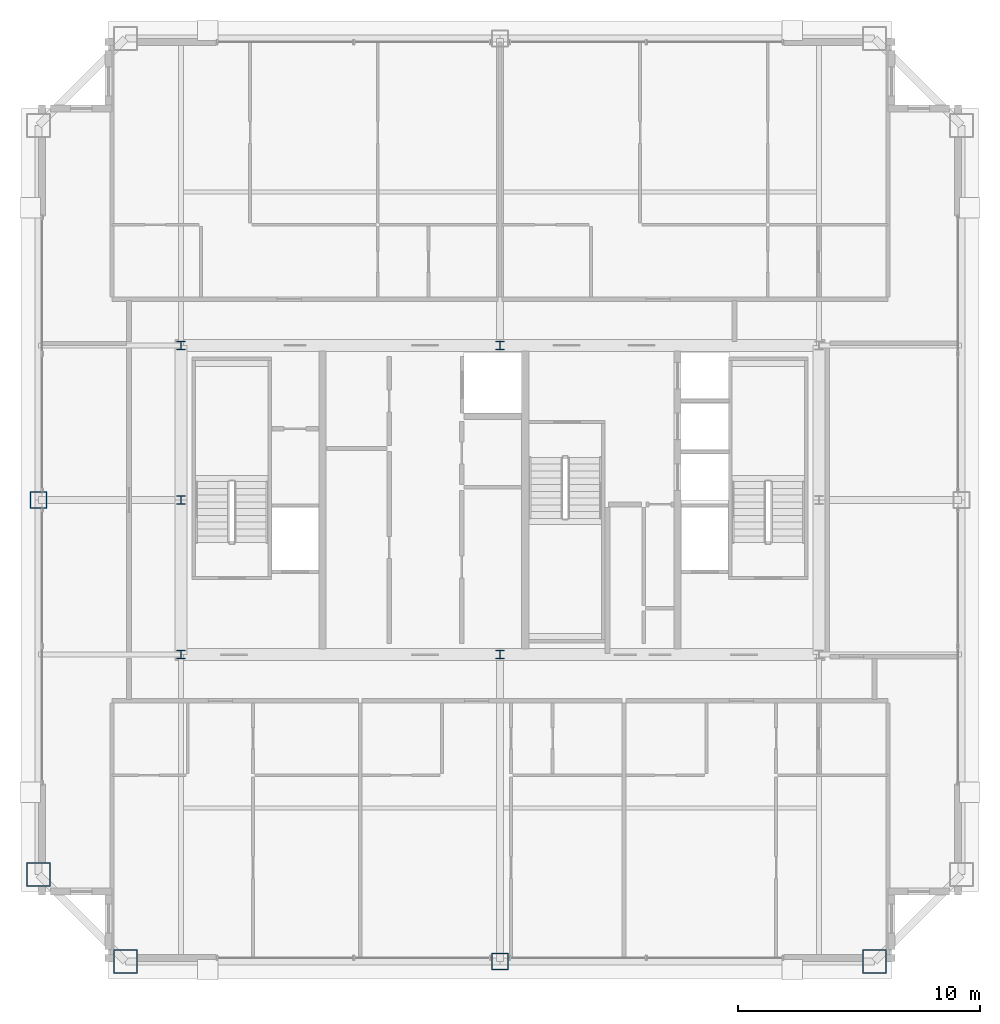
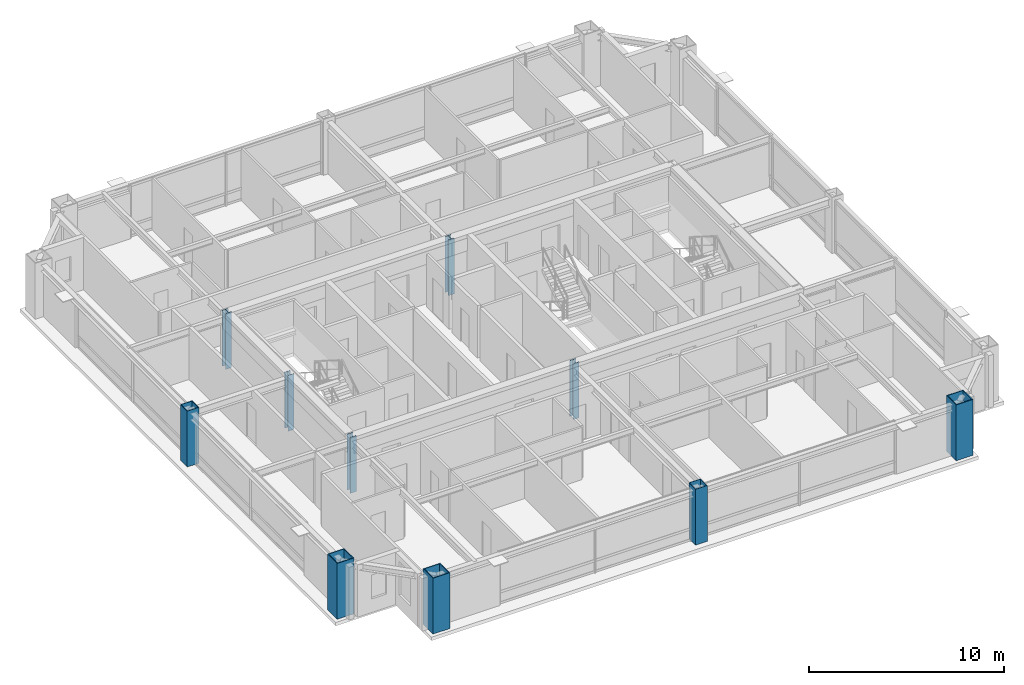
# One storey, part 1 of 35: 10 columns.
"""IFC4 building model written with IfcOpenShell, lengths in metres."""

from ifc_helpers import new_model, si_unit, direction, frame, origin, origin_2d, place, context, subcontext, project, spatial, hollow_rectangle, i_section, extrude, source, transform, mapped, material, material_profile, profile_set, type_object, element, save


model = new_model("IFC4")

# Units and contexts
model_context = context("Model", 3, precision=1e-05, world=origin(), true_north=direction((0.0, 1.0)))
body_context = subcontext(model_context, "Body", "Model", "MODEL_VIEW")
ifc_project = project(units=[si_unit("LENGTHUNIT", "METRE"), si_unit("AREAUNIT", "SQUARE_METRE"), si_unit("VOLUMEUNIT", "CUBIC_METRE"), si_unit("PLANEANGLEUNIT", "RADIAN"), si_unit("MASSUNIT", "GRAM", prefix="KILO"), si_unit("THERMODYNAMICTEMPERATUREUNIT", "KELVIN"), si_unit("POWERUNIT", "WATT")], contexts=[model_context])

# Site, building, storey
site_placement = place(None, origin())
site = spatial("IfcSite", under=ifc_project, at=site_placement, CompositionType="ELEMENT")
building_placement = place(site_placement, origin())
building = spatial("IfcBuilding", under=site, at=building_placement, Name="Yuzanri Waterfront Tower", CompositionType="ELEMENT")
storey_placement = place(building_placement, frame((0.0, 0.0, 311.199951171875)))
storey = spatial("IfcBuildingStorey", under=building, at=storey_placement, Name="L83", CompositionType="ELEMENT", Elevation=311.199951171875)

# Columns
ifc_material_1 = material(Name="Steel Q355B", Category="steel")
ifc_material_profile_1 = material_profile(ifc_material_1, hollow_rectangle(XDim=0.699951171875, YDim=0.699951171875, WallThickness=0.031982421875, at=origin_2d()), Name="RHS 700x700x32")
ifc_profile_set_1 = profile_set([ifc_material_profile_1], Name="Steel Q355B")
column_type_1 = type_object("IfcColumnType", Name="Frame Column Q355B RHS 700x700x32", PredefinedType="COLUMN", material=ifc_profile_set_1)
shared_shape_1 = source(origin(), body_context, "Body", "SweptSolid", [
    extrude(hollow_rectangle(XDim=0.699951171875, YDim=0.699951171875, WallThickness=0.031982421875, at=origin_2d()), origin(), (0.0, 0.0, 1.0), 3.5),
])
for number, where, z_axis, x_axis, name in (
    (1, (37.0, 6.699951171875, 0.0), (0.0, 0.0, 1.0), (1.0, 0.0, 0.0), "L83 Perimeter Frame Column S2"),
    (2, (17.89990234375, 25.800048828125, 0.0), (0.0, 0.0, 1.0), (1.0, 0.0, 0.0), "L83 Perimeter Frame Column W2"),
):
    element("IfcColumn", number, at=place(storey_placement, frame(where, z_axis=z_axis, x_axis=x_axis)), inside=storey, type_object=column_type_1, Name=name, PredefinedType="COLUMN", context=body_context, shape_type="MappedRepresentation", body=[
        mapped(shared_shape_1, transform((0.0, 0.0, 0.0), scale=1.0)),
    ])
ifc_material_2 = material(Name="Steel Q355B", Category="steel")
ifc_material_profile_2 = material_profile(ifc_material_2, i_section(OverallWidth=0.35009765625, OverallDepth=0.35009765625, WebThickness=0.011962890625, FlangeThickness=0.01904296875, at=origin_2d()), Name="HW 350x350x12x19")
ifc_profile_set_2 = profile_set([ifc_material_profile_2], Name="Steel Q355B")
column_type_2 = type_object("IfcColumnType", Name="Core Post Q355B HW 350x350x12x19", PredefinedType="COLUMN", material=ifc_profile_set_2)
shared_shape_2 = source(origin(), body_context, "Body", "SweptSolid", [
    extrude(i_section(OverallWidth=0.35009765625, OverallDepth=0.35009765625, WebThickness=0.011962890625, FlangeThickness=0.01904296875, at=origin_2d()), origin(), (0.0, 0.0, 1.0), 3.5),
])
for number, where, z_axis, x_axis, name in (
    (3, (23.800048828125, 19.39990234375, 0.0), (0.0, 0.0, 1.0), (1.0, 0.0, 0.0), "L83 Core Boundary Column CP1"),
    (4, (37.0, 19.39990234375, 0.0), (0.0, 0.0, 1.0), (1.0, 0.0, 0.0), "L83 Core Boundary Column CP2"),
    (5, (23.800048828125, 25.800048828125, 0.0), (0.0, 0.0, 1.0), (1.0, 0.0, 0.0), "L83 Core Boundary Column CP4"),
    (6, (23.800048828125, 32.199951171875, 0.0), (0.0, 0.0, 1.0), (1.0, 0.0, 0.0), "L83 Core Boundary Column CP6"),
    (7, (37.0, 32.199951171875, 0.0), (0.0, 0.0, 1.0), (1.0, 0.0, 0.0), "L83 Core Boundary Column CP7"),
):
    element("IfcColumn", number, at=place(storey_placement, frame(where, z_axis=z_axis, x_axis=x_axis)), inside=storey, type_object=column_type_2, Name=name, PredefinedType="COLUMN", context=body_context, shape_type="MappedRepresentation", body=[
        mapped(shared_shape_2, transform((0.0, 0.0, 0.0), scale=1.0)),
    ])
ifc_material_3 = material(Name="Steel Q390GJC", Category="steel")
ifc_material_profile_3 = material_profile(ifc_material_3, hollow_rectangle(XDim=1.0, YDim=1.0, WallThickness=0.048095703125, at=origin_2d()), Name="RHS 1000x1000x48")
ifc_profile_set_3 = profile_set([ifc_material_profile_3], Name="Steel Q390GJC")
column_type_3 = type_object("IfcColumnType", Name="Mega Column Q390GJC RHS 1000x1000x48", PredefinedType="COLUMN", material=ifc_profile_set_3)
shared_shape_3 = source(origin(), body_context, "Body", "SweptSolid", [
    extrude(hollow_rectangle(XDim=1.0, YDim=1.0, WallThickness=0.048095703125, at=origin_2d()), origin(), (0.0, 0.0, 1.0), 3.5),
])
for number, where, z_axis, x_axis, name in (
    (8, (21.5, 6.699951171875, 0.0), (0.0, 0.0, 1.0), (1.0, 0.0, 0.0), "L83 Perimeter Mega Column S1"),
    (9, (52.5, 6.699951171875, 0.0), (0.0, 0.0, 1.0), (1.0, 0.0, 0.0), "L83 Perimeter Mega Column S3"),
    (10, (17.89990234375, 10.300048828125, 0.0), (0.0, 0.0, 1.0), (1.0, 0.0, 0.0), "L83 Perimeter Mega Column W1"),
):
    element("IfcColumn", number, at=place(storey_placement, frame(where, z_axis=z_axis, x_axis=x_axis)), inside=storey, type_object=column_type_3, Name=name, PredefinedType="COLUMN", context=body_context, shape_type="MappedRepresentation", body=[
        mapped(shared_shape_3, transform((0.0, 0.0, 0.0), scale=1.0)),
    ])

save(model, "model.ifc")
